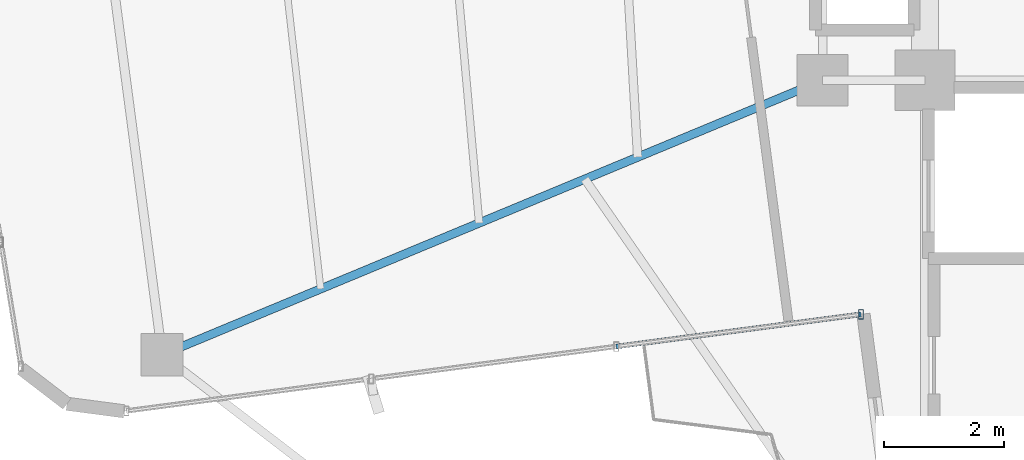
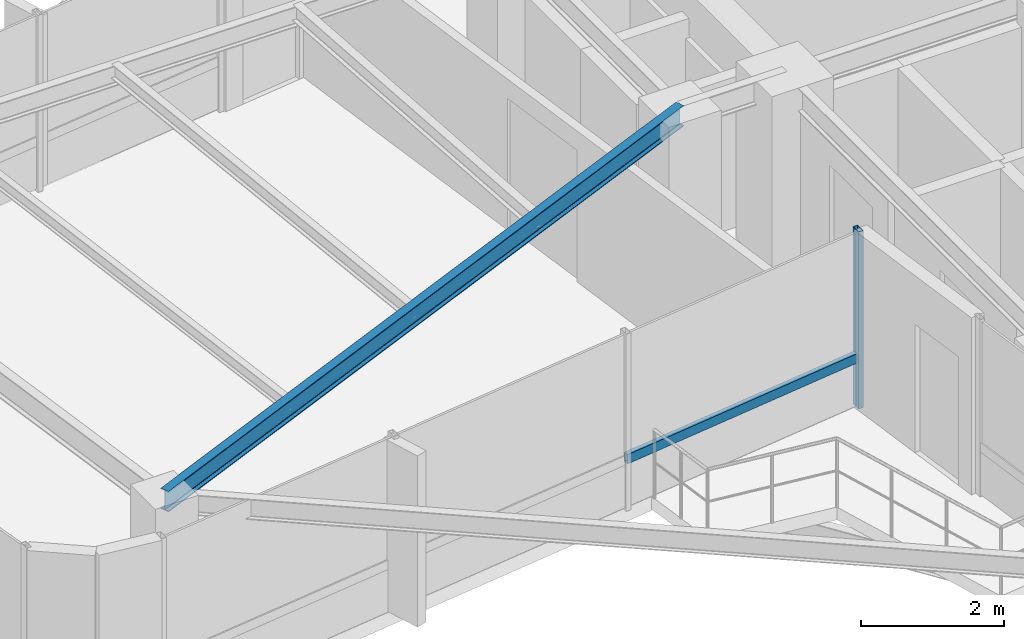
# One storey, part 3 of 22: 2 members, 1 beam, 1 element without a shape of its own.
"""IFC4 building model written with IfcOpenShell, lengths in metres."""

from ifc_helpers import new_model, si_unit, direction, frame, origin, origin_2d, place, context, subcontext, project, spatial, hollow_rectangle, i_section, extrude, source, transform, mapped, material, material_profile, profile_set, type_object, element, aggregate, save


model = new_model("IFC4")

# Units and contexts
model_context = context("Model", 3, precision=1e-05, world=origin(), true_north=direction((0.0, 1.0)))
body_context = subcontext(model_context, "Body", "Model", "MODEL_VIEW")
ifc_project = project(units=[si_unit("LENGTHUNIT", "METRE"), si_unit("AREAUNIT", "SQUARE_METRE"), si_unit("VOLUMEUNIT", "CUBIC_METRE"), si_unit("PLANEANGLEUNIT", "RADIAN"), si_unit("MASSUNIT", "GRAM", prefix="KILO")], contexts=[model_context])

# Site, building, storey
site_placement = place(None, origin())
site = spatial("IfcSite", under=ifc_project, at=site_placement, CompositionType="ELEMENT")
building_placement = place(site_placement, origin())
building = spatial("IfcBuilding", under=site, at=building_placement, Name="Sahyath Konkavel Grand Hotel", CompositionType="ELEMENT")
storey_placement = place(building_placement, frame((0.0, 0.0, 261.25)))
storey = spatial("IfcBuildingStorey", under=building, at=storey_placement, Name="L73", CompositionType="ELEMENT", Elevation=261.25)

# Beam
ifc_material_1 = material(Name="Steel E350", Category="steel")
ifc_material_profile_1 = material_profile(ifc_material_1, i_section(OverallWidth=0.139892578125, OverallDepth=0.35009765625, WebThickness=0.008056640625, FlangeThickness=0.01416015625, FilletRadius=0.013916015625, at=origin_2d()), Name="ISMB 350")
ifc_profile_set_1 = profile_set([ifc_material_profile_1], Name="Steel E350")
beam_type = type_object("IfcBeamType", Name="BM-ISMB350", PredefinedType="BEAM", material=ifc_profile_set_1)
shared_shape_1 = source(origin(), body_context, "Body", "SweptSolid", [
    extrude(i_section(OverallWidth=0.139892578125, OverallDepth=0.35009765625, WebThickness=0.008056640625, FlangeThickness=0.01416015625, FilletRadius=0.013916015625, at=origin_2d()), origin(), (0.0, 0.0, 1.0), 11.882080078125),
])
beam_placement = place(storey_placement, frame((-5.5, -2.39990234375, 2.85498046875), z_axis=(-0.923435785797, -0.383752979804, 0.0), x_axis=(0.383752979804, -0.923435785797, 0.0)))
element("IfcBeam", 1, at=beam_placement, inside=storey, type_object=beam_type, Name="L73 Cruciform Radial Girder WB", PredefinedType="BEAM", context=body_context, shape_type="MappedRepresentation", body=[
    mapped(shared_shape_1, transform((0.0, 0.0, 0.0), scale=1.0)),
])

# Curtain wall, members
ifc_material_2 = material(Name="Anodised Bronze Aluminium & Low-E Glazing", Category="aluminium")
curtain_wall_type = type_object("IfcCurtainWallType", Name="CW-ZONE4", PredefinedType="NOTDEFINED", material=ifc_material_2)
curtain_wall_placement = place(storey_placement, origin())
curtain_wall = element("IfcCurtainWall", 2, at=curtain_wall_placement, inside=storey, type_object=curtain_wall_type, Name="L73 Unitised Curtain Wall F23", PredefinedType="NOTDEFINED")
ifc_material_3 = material(Name="Anodised Bronze Aluminium", Category="aluminium")
ifc_material_profile_2 = material_profile(ifc_material_3, hollow_rectangle(XDim=0.080078125, YDim=0.159912109375, WallThickness=0.006103515625, at=origin_2d()), Name="RHS 160x80x6")
ifc_profile_set_2 = profile_set([ifc_material_profile_2], Name="Anodised Bronze Aluminium")
member_type_1 = type_object("IfcMemberType", Name="CW-MUL-160", PredefinedType="MULLION", material=ifc_profile_set_2)
shared_shape_2 = source(origin(), body_context, "Body", "SweptSolid", [
    extrude(hollow_rectangle(XDim=0.080078125, YDim=0.159912109375, WallThickness=0.006103515625, at=origin_2d()), origin(), (0.0, 0.0, 1.0), 3.030029296875),
])
member_1_placement = place(storey_placement, frame((-4.86083984375, -6.2880859375, 0.0), z_axis=(0.0, 0.0, 1.0), x_axis=(1.0, 0.0, 0.0)))
member_1 = element("IfcMember", 3, at=member_1_placement, type_object=member_type_1, Name="L73 Curtain Wall Mullion F23-3", PredefinedType="MULLION", context=body_context, shape_type="MappedRepresentation", body=[
    mapped(shared_shape_2, transform((0.0, 0.0, 0.0), scale=1.0)),
])
ifc_material_profile_3 = material_profile(ifc_material_3, hollow_rectangle(XDim=0.080078125, YDim=0.159912109375, WallThickness=0.006103515625, at=origin_2d()), Name="RHS 160x80x6")
ifc_profile_set_3 = profile_set([ifc_material_profile_3], Name="Anodised Bronze Aluminium")
member_type_2 = type_object("IfcMemberType", Name="CW-TRN-160", PredefinedType="USERDEFINED", material=ifc_profile_set_3)
shared_shape_3 = source(origin(), body_context, "Body", "SweptSolid", [
    extrude(hollow_rectangle(XDim=0.080078125, YDim=0.159912109375, WallThickness=0.006103515625, at=origin_2d()), origin(), (0.0, 0.0, 1.0), 4.103271484375),
])
member_2_placement = place(storey_placement, frame((-8.928955078125, -6.82373046875, 0.85009765625), z_axis=(0.991442748161, 0.130542242661, 0.0), x_axis=(-0.130542242661, 0.991442748161, 0.0)))
member_2 = element("IfcMember", 4, at=member_2_placement, type_object=member_type_2, Name="L73 Curtain Wall Transom F23-2-spandrel", ObjectType="TRANSOM", PredefinedType="USERDEFINED", context=body_context, shape_type="MappedRepresentation", body=[
    mapped(shared_shape_3, transform((0.0, 0.0, 0.0), scale=1.0)),
])
aggregate(curtain_wall, [member_1, member_2])

save(model, "model.ifc")
